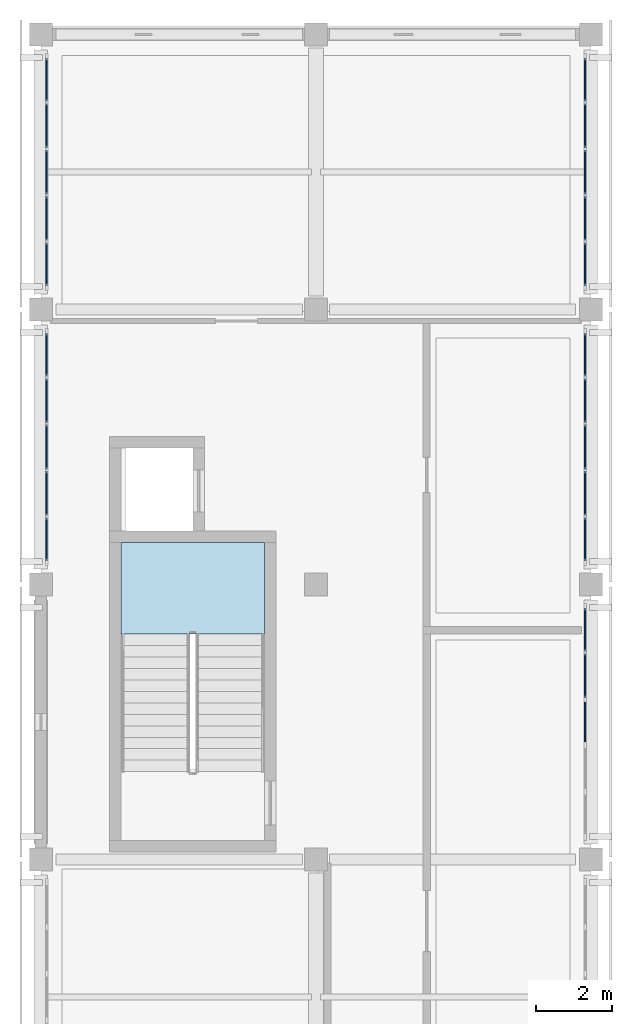
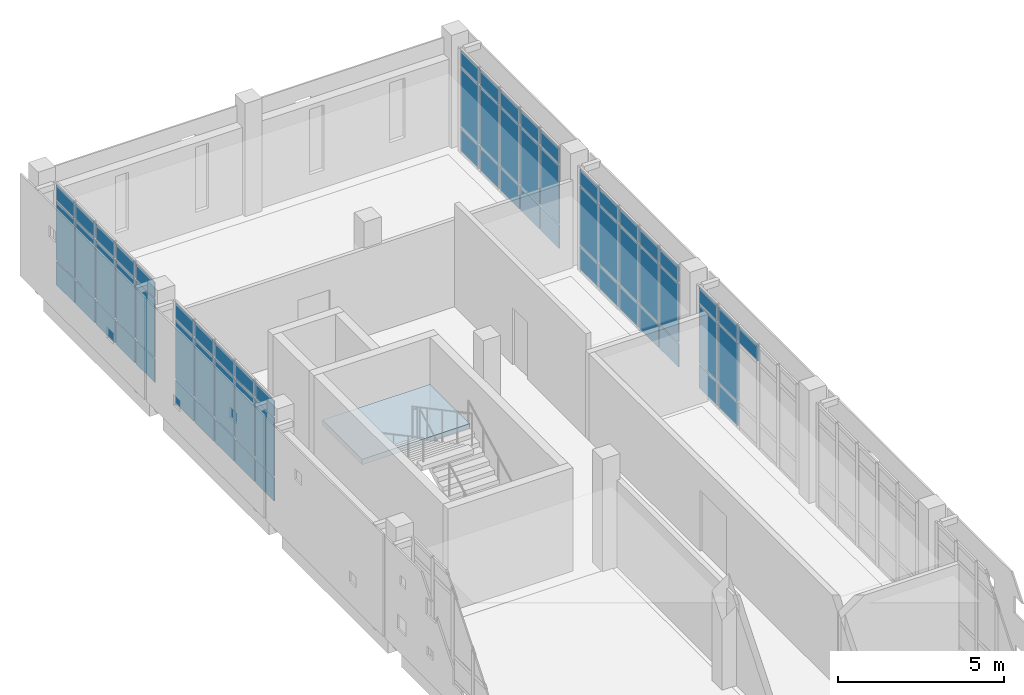
# One storey, part 14 of 21: 67 plates, 1 slab, 6 elements without a shape of their own.
"""IFC4 building model written with IfcOpenShell, lengths in metres."""

from ifc_helpers import new_model, si_unit, direction, frame, origin, origin_2d, place, context, subcontext, project, spatial, polyline, rectangle, outline, extrude, material, layer, layer_set, type_object, element, aggregate, save


model = new_model("IFC4")

# Units and contexts
model_context = context("Model", 3, precision=1e-05, world=origin(), true_north=direction((0.0, 1.0)))
body_context = subcontext(model_context, "Body", "Model", "MODEL_VIEW")
ifc_project = project(units=[si_unit("LENGTHUNIT", "METRE"), si_unit("AREAUNIT", "SQUARE_METRE"), si_unit("VOLUMEUNIT", "CUBIC_METRE"), si_unit("PLANEANGLEUNIT", "RADIAN"), si_unit("MASSUNIT", "GRAM", prefix="KILO")], contexts=[model_context])

# Site, building, storey
site_placement = place(None, origin())
site = spatial("IfcSite", under=ifc_project, at=site_placement, CompositionType="ELEMENT")
building_placement = place(site_placement, origin())
building = spatial("IfcBuilding", under=site, at=building_placement, Name="Valkovuoma Quantum and Materials Research Institute", CompositionType="ELEMENT")
storey_placement = place(building_placement, frame((0.0, 0.0, 29.760009765625)))
storey = spatial("IfcBuildingStorey", under=building, at=storey_placement, Name="L07", CompositionType="ELEMENT", Elevation=29.760009765625)

# Curtain wall, plates
ifc_material_1 = material(Name="Thermally broken aluminium and triple low-E glazing", Category="aluminium")
ifc_layer_1 = layer(ifc_material_1, 0.219970703125)
ifc_layer_set_1 = layer_set([ifc_layer_1], Name="Thermally broken aluminium and triple low-E glazing")
curtain_wall_type = type_object("IfcCurtainWallType", Name="CW-CW-01", PredefinedType="NOTDEFINED", material=ifc_layer_set_1)
curtain_wall_1_placement = place(storey_placement, origin())
curtain_wall_1 = element("IfcCurtainWall", 1, at=curtain_wall_1_placement, inside=storey, type_object=curtain_wall_type, Name="L07 curtain wall 105", PredefinedType="NOTDEFINED")
ifc_material_2 = material(Name="Triple low-E argon insulating glass", Category="glass")
ifc_layer_2 = layer(ifc_material_2, 0.035888671875)
ifc_layer_set_2 = layer_set([ifc_layer_2], Name="Triple low-E argon insulating glass")
plate_type_1 = type_object("IfcPlateType", Name="CWPanel-CWP-01", PredefinedType="CURTAIN_PANEL", material=ifc_layer_set_2)
plate_1_placement = place(storey_placement, frame((0.14990234375, 80.3818359375, 0.06494140625), z_axis=(0.0, 0.0, 1.0), x_axis=(0.0, 1.0, 0.0)))
plate_1 = element("IfcPlate", 2, at=plate_1_placement, type_object=plate_type_1, Name="CW-01 panel 1.1", PredefinedType="CURTAIN_PANEL", context=body_context, shape_type="SweptSolid", body=[
    extrude(rectangle(XDim=1.11962890625, YDim=0.035888671875, at=origin_2d()), origin(), (0.0, 0.0, 1.0), 0.8525390625),
])
plate_2_placement = place(storey_placement, frame((0.14990234375, 80.3818359375, 0.982421875), z_axis=(0.0, 0.0, 1.0), x_axis=(0.0, 1.0, 0.0)))
plate_2 = element("IfcPlate", 3, at=plate_2_placement, type_object=plate_type_1, Name="CW-01 panel 1.2", PredefinedType="CURTAIN_PANEL", context=body_context, shape_type="SweptSolid", body=[
    extrude(rectangle(XDim=1.11962890625, YDim=0.035888671875, at=origin_2d()), origin(), (0.0, 0.0, 1.0), 2.14501953125),
])
plate_3_placement = place(storey_placement, frame((0.14990234375, 80.3818359375, 3.1923828125), z_axis=(0.0, 0.0, 1.0), x_axis=(0.0, 1.0, 0.0)))
plate_3 = element("IfcPlate", 4, at=plate_3_placement, type_object=plate_type_1, Name="CW-01 panel 1.3", PredefinedType="CURTAIN_PANEL", context=body_context, shape_type="SweptSolid", body=[
    extrude(rectangle(XDim=1.11962890625, YDim=0.035888671875, at=origin_2d()), origin(), (0.0, 0.0, 1.0), 0.552490234375),
])
plate_4_placement = place(storey_placement, frame((0.14990234375, 81.582763671875, 0.06494140625), z_axis=(0.0, 0.0, 1.0), x_axis=(0.0, 1.0, 0.0)))
plate_4 = element("IfcPlate", 5, at=plate_4_placement, type_object=plate_type_1, Name="CW-01 panel 2.1", PredefinedType="CURTAIN_PANEL", context=body_context, shape_type="SweptSolid", body=[
    extrude(rectangle(XDim=1.152099609375, YDim=0.035888671875, at=origin_2d()), origin(), (0.0, 0.0, 1.0), 0.8525390625),
])
plate_5_placement = place(storey_placement, frame((0.14990234375, 81.582763671875, 0.982421875), z_axis=(0.0, 0.0, 1.0), x_axis=(0.0, 1.0, 0.0)))
plate_5 = element("IfcPlate", 6, at=plate_5_placement, type_object=plate_type_1, Name="CW-01 panel 2.2", PredefinedType="CURTAIN_PANEL", context=body_context, shape_type="SweptSolid", body=[
    extrude(rectangle(XDim=1.152099609375, YDim=0.035888671875, at=origin_2d()), origin(), (0.0, 0.0, 1.0), 2.14501953125),
])
plate_6_placement = place(storey_placement, frame((0.14990234375, 81.582763671875, 3.1923828125), z_axis=(0.0, 0.0, 1.0), x_axis=(0.0, 1.0, 0.0)))
plate_6 = element("IfcPlate", 7, at=plate_6_placement, type_object=plate_type_1, Name="CW-01 panel 2.3", PredefinedType="CURTAIN_PANEL", context=body_context, shape_type="SweptSolid", body=[
    extrude(rectangle(XDim=1.152099609375, YDim=0.035888671875, at=origin_2d()), origin(), (0.0, 0.0, 1.0), 0.552490234375),
])
plate_7_placement = place(storey_placement, frame((0.14990234375, 82.800048828125, 0.06494140625), z_axis=(0.0, 0.0, 1.0), x_axis=(0.0, 1.0, 0.0)))
plate_7 = element("IfcPlate", 8, at=plate_7_placement, type_object=plate_type_1, Name="CW-01 panel 3.1", PredefinedType="CURTAIN_PANEL", context=body_context, shape_type="SweptSolid", body=[
    extrude(rectangle(XDim=1.152099609375, YDim=0.035888671875, at=origin_2d()), origin(), (0.0, 0.0, 1.0), 0.8525390625),
])
plate_8_placement = place(storey_placement, frame((0.14990234375, 82.800048828125, 0.982421875), z_axis=(0.0, 0.0, 1.0), x_axis=(0.0, 1.0, 0.0)))
plate_8 = element("IfcPlate", 9, at=plate_8_placement, type_object=plate_type_1, Name="CW-01 panel 3.2", PredefinedType="CURTAIN_PANEL", context=body_context, shape_type="SweptSolid", body=[
    extrude(rectangle(XDim=1.152099609375, YDim=0.035888671875, at=origin_2d()), origin(), (0.0, 0.0, 1.0), 2.14501953125),
])
plate_9_placement = place(storey_placement, frame((0.14990234375, 82.800048828125, 3.1923828125), z_axis=(0.0, 0.0, 1.0), x_axis=(0.0, 1.0, 0.0)))
plate_9 = element("IfcPlate", 10, at=plate_9_placement, type_object=plate_type_1, Name="CW-01 panel 3.3", PredefinedType="CURTAIN_PANEL", context=body_context, shape_type="SweptSolid", body=[
    extrude(rectangle(XDim=1.152099609375, YDim=0.035888671875, at=origin_2d()), origin(), (0.0, 0.0, 1.0), 0.552490234375),
])
plate_10_placement = place(storey_placement, frame((0.14990234375, 84.01708984375, 0.06494140625), z_axis=(0.0, 0.0, 1.0), x_axis=(0.0, 1.0, 0.0)))
plate_10 = element("IfcPlate", 11, at=plate_10_placement, type_object=plate_type_1, Name="CW-01 panel 4.1", PredefinedType="CURTAIN_PANEL", context=body_context, shape_type="SweptSolid", body=[
    extrude(rectangle(XDim=1.152099609375, YDim=0.035888671875, at=origin_2d()), origin(), (0.0, 0.0, 1.0), 0.8525390625),
])
plate_11_placement = place(storey_placement, frame((0.14990234375, 84.01708984375, 0.982421875), z_axis=(0.0, 0.0, 1.0), x_axis=(0.0, 1.0, 0.0)))
plate_11 = element("IfcPlate", 12, at=plate_11_placement, type_object=plate_type_1, Name="CW-01 panel 4.2", PredefinedType="CURTAIN_PANEL", context=body_context, shape_type="SweptSolid", body=[
    extrude(rectangle(XDim=1.152099609375, YDim=0.035888671875, at=origin_2d()), origin(), (0.0, 0.0, 1.0), 2.14501953125),
])
plate_12_placement = place(storey_placement, frame((0.14990234375, 84.01708984375, 3.1923828125), z_axis=(0.0, 0.0, 1.0), x_axis=(0.0, 1.0, 0.0)))
plate_12 = element("IfcPlate", 13, at=plate_12_placement, type_object=plate_type_1, Name="CW-01 panel 4.3", PredefinedType="CURTAIN_PANEL", context=body_context, shape_type="SweptSolid", body=[
    extrude(rectangle(XDim=1.152099609375, YDim=0.035888671875, at=origin_2d()), origin(), (0.0, 0.0, 1.0), 0.552490234375),
])
plate_13_placement = place(storey_placement, frame((0.14990234375, 85.218017578125, 0.06494140625), z_axis=(0.0, 0.0, 1.0), x_axis=(0.0, 1.0, 0.0)))
plate_13 = element("IfcPlate", 14, at=plate_13_placement, type_object=plate_type_1, Name="CW-01 panel 5.1", PredefinedType="CURTAIN_PANEL", context=body_context, shape_type="SweptSolid", body=[
    extrude(rectangle(XDim=1.11962890625, YDim=0.035888671875, at=origin_2d()), origin(), (0.0, 0.0, 1.0), 0.8525390625),
])
plate_14_placement = place(storey_placement, frame((0.14990234375, 85.218017578125, 0.982421875), z_axis=(0.0, 0.0, 1.0), x_axis=(0.0, 1.0, 0.0)))
plate_14 = element("IfcPlate", 15, at=plate_14_placement, type_object=plate_type_1, Name="CW-01 panel 5.2", PredefinedType="CURTAIN_PANEL", context=body_context, shape_type="SweptSolid", body=[
    extrude(rectangle(XDim=1.11962890625, YDim=0.035888671875, at=origin_2d()), origin(), (0.0, 0.0, 1.0), 2.14501953125),
])
plate_15_placement = place(storey_placement, frame((0.14990234375, 85.218017578125, 3.1923828125), z_axis=(0.0, 0.0, 1.0), x_axis=(0.0, 1.0, 0.0)))
plate_15 = element("IfcPlate", 16, at=plate_15_placement, type_object=plate_type_1, Name="CW-01 panel 5.3", PredefinedType="CURTAIN_PANEL", context=body_context, shape_type="SweptSolid", body=[
    extrude(rectangle(XDim=1.11962890625, YDim=0.035888671875, at=origin_2d()), origin(), (0.0, 0.0, 1.0), 0.552490234375),
])
aggregate(curtain_wall_1, [plate_1, plate_2, plate_3, plate_4, plate_5, plate_6, plate_7, plate_8, plate_9, plate_10, plate_11, plate_12, plate_13, plate_14, plate_15])

curtain_wall_2_placement = place(storey_placement, origin())
curtain_wall_2 = element("IfcCurtainWall", 17, at=curtain_wall_2_placement, inside=storey, type_object=curtain_wall_type, Name="L07 curtain wall 107", PredefinedType="NOTDEFINED")
plate_16_placement = place(storey_placement, frame((0.14990234375, 87.58203125, 0.06494140625), z_axis=(0.0, 0.0, 1.0), x_axis=(0.0, 1.0, 0.0)))
plate_16 = element("IfcPlate", 18, at=plate_16_placement, type_object=plate_type_1, Name="CW-01 panel 1.1", PredefinedType="CURTAIN_PANEL", context=body_context, shape_type="SweptSolid", body=[
    extrude(rectangle(XDim=1.11962890625, YDim=0.035888671875, at=origin_2d()), origin(), (0.0, 0.0, 1.0), 0.8525390625),
])
plate_17_placement = place(storey_placement, frame((0.14990234375, 87.58203125, 0.982421875), z_axis=(0.0, 0.0, 1.0), x_axis=(0.0, 1.0, 0.0)))
plate_17 = element("IfcPlate", 19, at=plate_17_placement, type_object=plate_type_1, Name="CW-01 panel 1.2", PredefinedType="CURTAIN_PANEL", context=body_context, shape_type="SweptSolid", body=[
    extrude(rectangle(XDim=1.11962890625, YDim=0.035888671875, at=origin_2d()), origin(), (0.0, 0.0, 1.0), 2.14501953125),
])
plate_18_placement = place(storey_placement, frame((0.14990234375, 87.58203125, 3.1923828125), z_axis=(0.0, 0.0, 1.0), x_axis=(0.0, 1.0, 0.0)))
plate_18 = element("IfcPlate", 20, at=plate_18_placement, type_object=plate_type_1, Name="CW-01 panel 1.3", PredefinedType="CURTAIN_PANEL", context=body_context, shape_type="SweptSolid", body=[
    extrude(rectangle(XDim=1.11962890625, YDim=0.035888671875, at=origin_2d()), origin(), (0.0, 0.0, 1.0), 0.552490234375),
])
plate_19_placement = place(storey_placement, frame((0.14990234375, 88.782958984375, 0.06494140625), z_axis=(0.0, 0.0, 1.0), x_axis=(0.0, 1.0, 0.0)))
plate_19 = element("IfcPlate", 21, at=plate_19_placement, type_object=plate_type_1, Name="CW-01 panel 2.1", PredefinedType="CURTAIN_PANEL", context=body_context, shape_type="SweptSolid", body=[
    extrude(rectangle(XDim=1.152099609375, YDim=0.035888671875, at=origin_2d()), origin(), (0.0, 0.0, 1.0), 0.8525390625),
])
plate_20_placement = place(storey_placement, frame((0.14990234375, 88.782958984375, 0.982421875), z_axis=(0.0, 0.0, 1.0), x_axis=(0.0, 1.0, 0.0)))
plate_20 = element("IfcPlate", 22, at=plate_20_placement, type_object=plate_type_1, Name="CW-01 panel 2.2", PredefinedType="CURTAIN_PANEL", context=body_context, shape_type="SweptSolid", body=[
    extrude(rectangle(XDim=1.152099609375, YDim=0.035888671875, at=origin_2d()), origin(), (0.0, 0.0, 1.0), 2.14501953125),
])
plate_21_placement = place(storey_placement, frame((0.14990234375, 88.782958984375, 3.1923828125), z_axis=(0.0, 0.0, 1.0), x_axis=(0.0, 1.0, 0.0)))
plate_21 = element("IfcPlate", 23, at=plate_21_placement, type_object=plate_type_1, Name="CW-01 panel 2.3", PredefinedType="CURTAIN_PANEL", context=body_context, shape_type="SweptSolid", body=[
    extrude(rectangle(XDim=1.152099609375, YDim=0.035888671875, at=origin_2d()), origin(), (0.0, 0.0, 1.0), 0.552490234375),
])
plate_22_placement = place(storey_placement, frame((0.14990234375, 90.0, 0.06494140625), z_axis=(0.0, 0.0, 1.0), x_axis=(0.0, 1.0, 0.0)))
plate_22 = element("IfcPlate", 24, at=plate_22_placement, type_object=plate_type_1, Name="CW-01 panel 3.1", PredefinedType="CURTAIN_PANEL", context=body_context, shape_type="SweptSolid", body=[
    extrude(rectangle(XDim=1.152099609375, YDim=0.035888671875, at=origin_2d()), origin(), (0.0, 0.0, 1.0), 0.8525390625),
])
plate_23_placement = place(storey_placement, frame((0.14990234375, 90.0, 0.982421875), z_axis=(0.0, 0.0, 1.0), x_axis=(0.0, 1.0, 0.0)))
plate_23 = element("IfcPlate", 25, at=plate_23_placement, type_object=plate_type_1, Name="CW-01 panel 3.2", PredefinedType="CURTAIN_PANEL", context=body_context, shape_type="SweptSolid", body=[
    extrude(rectangle(XDim=1.152099609375, YDim=0.035888671875, at=origin_2d()), origin(), (0.0, 0.0, 1.0), 2.14501953125),
])
plate_24_placement = place(storey_placement, frame((0.14990234375, 90.0, 3.1923828125), z_axis=(0.0, 0.0, 1.0), x_axis=(0.0, 1.0, 0.0)))
plate_24 = element("IfcPlate", 26, at=plate_24_placement, type_object=plate_type_1, Name="CW-01 panel 3.3", PredefinedType="CURTAIN_PANEL", context=body_context, shape_type="SweptSolid", body=[
    extrude(rectangle(XDim=1.152099609375, YDim=0.035888671875, at=origin_2d()), origin(), (0.0, 0.0, 1.0), 0.552490234375),
])
plate_25_placement = place(storey_placement, frame((0.14990234375, 91.217041015625, 0.06494140625), z_axis=(0.0, 0.0, 1.0), x_axis=(0.0, 1.0, 0.0)))
plate_25 = element("IfcPlate", 27, at=plate_25_placement, type_object=plate_type_1, Name="CW-01 panel 4.1", PredefinedType="CURTAIN_PANEL", context=body_context, shape_type="SweptSolid", body=[
    extrude(rectangle(XDim=1.152099609375, YDim=0.035888671875, at=origin_2d()), origin(), (0.0, 0.0, 1.0), 0.8525390625),
])
plate_26_placement = place(storey_placement, frame((0.14990234375, 91.217041015625, 0.982421875), z_axis=(0.0, 0.0, 1.0), x_axis=(0.0, 1.0, 0.0)))
plate_26 = element("IfcPlate", 28, at=plate_26_placement, type_object=plate_type_1, Name="CW-01 panel 4.2", PredefinedType="CURTAIN_PANEL", context=body_context, shape_type="SweptSolid", body=[
    extrude(rectangle(XDim=1.152099609375, YDim=0.035888671875, at=origin_2d()), origin(), (0.0, 0.0, 1.0), 2.14501953125),
])
plate_27_placement = place(storey_placement, frame((0.14990234375, 91.217041015625, 3.1923828125), z_axis=(0.0, 0.0, 1.0), x_axis=(0.0, 1.0, 0.0)))
plate_27 = element("IfcPlate", 29, at=plate_27_placement, type_object=plate_type_1, Name="CW-01 panel 4.3", PredefinedType="CURTAIN_PANEL", context=body_context, shape_type="SweptSolid", body=[
    extrude(rectangle(XDim=1.152099609375, YDim=0.035888671875, at=origin_2d()), origin(), (0.0, 0.0, 1.0), 0.552490234375),
])
plate_28_placement = place(storey_placement, frame((0.14990234375, 92.41796875, 0.06494140625), z_axis=(0.0, 0.0, 1.0), x_axis=(0.0, 1.0, 0.0)))
plate_28 = element("IfcPlate", 30, at=plate_28_placement, type_object=plate_type_1, Name="CW-01 panel 5.1", PredefinedType="CURTAIN_PANEL", context=body_context, shape_type="SweptSolid", body=[
    extrude(rectangle(XDim=1.11962890625, YDim=0.035888671875, at=origin_2d()), origin(), (0.0, 0.0, 1.0), 0.8525390625),
])
plate_29_placement = place(storey_placement, frame((0.14990234375, 92.41796875, 0.982421875), z_axis=(0.0, 0.0, 1.0), x_axis=(0.0, 1.0, 0.0)))
plate_29 = element("IfcPlate", 31, at=plate_29_placement, type_object=plate_type_1, Name="CW-01 panel 5.2", PredefinedType="CURTAIN_PANEL", context=body_context, shape_type="SweptSolid", body=[
    extrude(rectangle(XDim=1.11962890625, YDim=0.035888671875, at=origin_2d()), origin(), (0.0, 0.0, 1.0), 2.14501953125),
])
plate_30_placement = place(storey_placement, frame((0.14990234375, 92.41796875, 3.1923828125), z_axis=(0.0, 0.0, 1.0), x_axis=(0.0, 1.0, 0.0)))
plate_30 = element("IfcPlate", 32, at=plate_30_placement, type_object=plate_type_1, Name="CW-01 panel 5.3", PredefinedType="CURTAIN_PANEL", context=body_context, shape_type="SweptSolid", body=[
    extrude(rectangle(XDim=1.11962890625, YDim=0.035888671875, at=origin_2d()), origin(), (0.0, 0.0, 1.0), 0.552490234375),
])
aggregate(curtain_wall_2, [plate_16, plate_17, plate_18, plate_19, plate_20, plate_21, plate_22, plate_23, plate_24, plate_25, plate_26, plate_27, plate_28, plate_29, plate_30])

curtain_wall_3_placement = place(storey_placement, origin())
curtain_wall_3 = element("IfcCurtainWall", 33, at=curtain_wall_3_placement, inside=storey, type_object=curtain_wall_type, Name="L07 curtain wall 104", PredefinedType="NOTDEFINED")
ifc_material_3 = material(Name="Triple low-E argon insulating glass", Category="glass")
ifc_layer_3 = layer(ifc_material_3, 0.0419921875)
ifc_layer_set_3 = layer_set([ifc_layer_3], Name="Triple low-E argon insulating glass")
plate_type_2 = type_object("IfcPlateType", Name="CWPanel-CWP-02", PredefinedType="CURTAIN_PANEL", material=ifc_layer_set_3)
plate_31_placement = place(storey_placement, frame((14.25, 75.60009765625, 3.1923828125), z_axis=(0.0, 0.0, 1.0), x_axis=(0.0, 1.0, 0.0)))
plate_31 = element("IfcPlate", 34, at=plate_31_placement, type_object=plate_type_2, Name="CW-01 panel 3.3", PredefinedType="CURTAIN_PANEL", context=body_context, shape_type="SweptSolid", body=[
    extrude(rectangle(XDim=1.152099609375, YDim=0.0419921875, at=origin_2d()), origin(), (0.0, 0.0, 1.0), 0.552490234375),
])
plate_32_placement = place(storey_placement, frame((14.25, 76.817138671875, 0.06494140625), z_axis=(0.0, 0.0, 1.0), x_axis=(0.0, 1.0, 0.0)))
plate_32 = element("IfcPlate", 35, at=plate_32_placement, type_object=plate_type_2, Name="CW-01 panel 4.1", PredefinedType="CURTAIN_PANEL", context=body_context, shape_type="SweptSolid", body=[
    extrude(rectangle(XDim=1.152099609375, YDim=0.0419921875, at=origin_2d()), origin(), (0.0, 0.0, 1.0), 0.8525390625),
])
plate_33_placement = place(storey_placement, frame((14.25, 76.817138671875, 0.982421875), z_axis=(0.0, 0.0, 1.0), x_axis=(0.0, 1.0, 0.0)))
plate_33 = element("IfcPlate", 36, at=plate_33_placement, type_object=plate_type_2, Name="CW-01 panel 4.2", PredefinedType="CURTAIN_PANEL", context=body_context, shape_type="SweptSolid", body=[
    extrude(rectangle(XDim=1.152099609375, YDim=0.0419921875, at=origin_2d()), origin(), (0.0, 0.0, 1.0), 2.14501953125),
])
plate_34_placement = place(storey_placement, frame((14.25, 76.817138671875, 3.1923828125), z_axis=(0.0, 0.0, 1.0), x_axis=(0.0, 1.0, 0.0)))
plate_34 = element("IfcPlate", 37, at=plate_34_placement, type_object=plate_type_2, Name="CW-01 panel 4.3", PredefinedType="CURTAIN_PANEL", context=body_context, shape_type="SweptSolid", body=[
    extrude(rectangle(XDim=1.152099609375, YDim=0.0419921875, at=origin_2d()), origin(), (0.0, 0.0, 1.0), 0.552490234375),
])
plate_35_placement = place(storey_placement, frame((14.25, 78.01806640625, 0.06494140625), z_axis=(0.0, 0.0, 1.0), x_axis=(0.0, 1.0, 0.0)))
plate_35 = element("IfcPlate", 38, at=plate_35_placement, type_object=plate_type_2, Name="CW-01 panel 5.1", PredefinedType="CURTAIN_PANEL", context=body_context, shape_type="SweptSolid", body=[
    extrude(rectangle(XDim=1.11962890625, YDim=0.0419921875, at=origin_2d()), origin(), (0.0, 0.0, 1.0), 0.8525390625),
])
plate_36_placement = place(storey_placement, frame((14.25, 78.01806640625, 0.982421875), z_axis=(0.0, 0.0, 1.0), x_axis=(0.0, 1.0, 0.0)))
plate_36 = element("IfcPlate", 39, at=plate_36_placement, type_object=plate_type_2, Name="CW-01 panel 5.2", PredefinedType="CURTAIN_PANEL", context=body_context, shape_type="SweptSolid", body=[
    extrude(rectangle(XDim=1.11962890625, YDim=0.0419921875, at=origin_2d()), origin(), (0.0, 0.0, 1.0), 2.14501953125),
])
plate_37_placement = place(storey_placement, frame((14.25, 78.01806640625, 3.1923828125), z_axis=(0.0, 0.0, 1.0), x_axis=(0.0, 1.0, 0.0)))
plate_37 = element("IfcPlate", 40, at=plate_37_placement, type_object=plate_type_2, Name="CW-01 panel 5.3", PredefinedType="CURTAIN_PANEL", context=body_context, shape_type="SweptSolid", body=[
    extrude(rectangle(XDim=1.11962890625, YDim=0.0419921875, at=origin_2d()), origin(), (0.0, 0.0, 1.0), 0.552490234375),
])
aggregate(curtain_wall_3, [plate_31, plate_32, plate_33, plate_34, plate_35, plate_36, plate_37])

curtain_wall_4_placement = place(storey_placement, origin())
curtain_wall_4 = element("IfcCurtainWall", 41, at=curtain_wall_4_placement, inside=storey, type_object=curtain_wall_type, Name="L07 curtain wall 106", PredefinedType="NOTDEFINED")
plate_38_placement = place(storey_placement, frame((14.25, 80.3818359375, 0.06494140625), z_axis=(0.0, 0.0, 1.0), x_axis=(0.0, 1.0, 0.0)))
plate_38 = element("IfcPlate", 42, at=plate_38_placement, type_object=plate_type_2, Name="CW-01 panel 1.1", PredefinedType="CURTAIN_PANEL", context=body_context, shape_type="SweptSolid", body=[
    extrude(rectangle(XDim=1.11962890625, YDim=0.0419921875, at=origin_2d()), origin(), (0.0, 0.0, 1.0), 0.8525390625),
])
plate_39_placement = place(storey_placement, frame((14.25, 80.3818359375, 0.982421875), z_axis=(0.0, 0.0, 1.0), x_axis=(0.0, 1.0, 0.0)))
plate_39 = element("IfcPlate", 43, at=plate_39_placement, type_object=plate_type_2, Name="CW-01 panel 1.2", PredefinedType="CURTAIN_PANEL", context=body_context, shape_type="SweptSolid", body=[
    extrude(rectangle(XDim=1.11962890625, YDim=0.0419921875, at=origin_2d()), origin(), (0.0, 0.0, 1.0), 2.14501953125),
])
plate_40_placement = place(storey_placement, frame((14.25, 80.3818359375, 3.1923828125), z_axis=(0.0, 0.0, 1.0), x_axis=(0.0, 1.0, 0.0)))
plate_40 = element("IfcPlate", 44, at=plate_40_placement, type_object=plate_type_2, Name="CW-01 panel 1.3", PredefinedType="CURTAIN_PANEL", context=body_context, shape_type="SweptSolid", body=[
    extrude(rectangle(XDim=1.11962890625, YDim=0.0419921875, at=origin_2d()), origin(), (0.0, 0.0, 1.0), 0.552490234375),
])
plate_41_placement = place(storey_placement, frame((14.25, 81.582763671875, 0.06494140625), z_axis=(0.0, 0.0, 1.0), x_axis=(0.0, 1.0, 0.0)))
plate_41 = element("IfcPlate", 45, at=plate_41_placement, type_object=plate_type_2, Name="CW-01 panel 2.1", PredefinedType="CURTAIN_PANEL", context=body_context, shape_type="SweptSolid", body=[
    extrude(rectangle(XDim=1.152099609375, YDim=0.0419921875, at=origin_2d()), origin(), (0.0, 0.0, 1.0), 0.8525390625),
])
plate_42_placement = place(storey_placement, frame((14.25, 81.582763671875, 0.982421875), z_axis=(0.0, 0.0, 1.0), x_axis=(0.0, 1.0, 0.0)))
plate_42 = element("IfcPlate", 46, at=plate_42_placement, type_object=plate_type_2, Name="CW-01 panel 2.2", PredefinedType="CURTAIN_PANEL", context=body_context, shape_type="SweptSolid", body=[
    extrude(rectangle(XDim=1.152099609375, YDim=0.0419921875, at=origin_2d()), origin(), (0.0, 0.0, 1.0), 2.14501953125),
])
plate_43_placement = place(storey_placement, frame((14.25, 81.582763671875, 3.1923828125), z_axis=(0.0, 0.0, 1.0), x_axis=(0.0, 1.0, 0.0)))
plate_43 = element("IfcPlate", 47, at=plate_43_placement, type_object=plate_type_2, Name="CW-01 panel 2.3", PredefinedType="CURTAIN_PANEL", context=body_context, shape_type="SweptSolid", body=[
    extrude(rectangle(XDim=1.152099609375, YDim=0.0419921875, at=origin_2d()), origin(), (0.0, 0.0, 1.0), 0.552490234375),
])
plate_44_placement = place(storey_placement, frame((14.25, 82.800048828125, 0.06494140625), z_axis=(0.0, 0.0, 1.0), x_axis=(0.0, 1.0, 0.0)))
plate_44 = element("IfcPlate", 48, at=plate_44_placement, type_object=plate_type_2, Name="CW-01 panel 3.1", PredefinedType="CURTAIN_PANEL", context=body_context, shape_type="SweptSolid", body=[
    extrude(rectangle(XDim=1.152099609375, YDim=0.0419921875, at=origin_2d()), origin(), (0.0, 0.0, 1.0), 0.8525390625),
])
plate_45_placement = place(storey_placement, frame((14.25, 82.800048828125, 0.982421875), z_axis=(0.0, 0.0, 1.0), x_axis=(0.0, 1.0, 0.0)))
plate_45 = element("IfcPlate", 49, at=plate_45_placement, type_object=plate_type_2, Name="CW-01 panel 3.2", PredefinedType="CURTAIN_PANEL", context=body_context, shape_type="SweptSolid", body=[
    extrude(rectangle(XDim=1.152099609375, YDim=0.0419921875, at=origin_2d()), origin(), (0.0, 0.0, 1.0), 2.14501953125),
])
plate_46_placement = place(storey_placement, frame((14.25, 82.800048828125, 3.1923828125), z_axis=(0.0, 0.0, 1.0), x_axis=(0.0, 1.0, 0.0)))
plate_46 = element("IfcPlate", 50, at=plate_46_placement, type_object=plate_type_2, Name="CW-01 panel 3.3", PredefinedType="CURTAIN_PANEL", context=body_context, shape_type="SweptSolid", body=[
    extrude(rectangle(XDim=1.152099609375, YDim=0.0419921875, at=origin_2d()), origin(), (0.0, 0.0, 1.0), 0.552490234375),
])
plate_47_placement = place(storey_placement, frame((14.25, 84.01708984375, 0.06494140625), z_axis=(0.0, 0.0, 1.0), x_axis=(0.0, 1.0, 0.0)))
plate_47 = element("IfcPlate", 51, at=plate_47_placement, type_object=plate_type_2, Name="CW-01 panel 4.1", PredefinedType="CURTAIN_PANEL", context=body_context, shape_type="SweptSolid", body=[
    extrude(rectangle(XDim=1.152099609375, YDim=0.0419921875, at=origin_2d()), origin(), (0.0, 0.0, 1.0), 0.8525390625),
])
plate_48_placement = place(storey_placement, frame((14.25, 84.01708984375, 0.982421875), z_axis=(0.0, 0.0, 1.0), x_axis=(0.0, 1.0, 0.0)))
plate_48 = element("IfcPlate", 52, at=plate_48_placement, type_object=plate_type_2, Name="CW-01 panel 4.2", PredefinedType="CURTAIN_PANEL", context=body_context, shape_type="SweptSolid", body=[
    extrude(rectangle(XDim=1.152099609375, YDim=0.0419921875, at=origin_2d()), origin(), (0.0, 0.0, 1.0), 2.14501953125),
])
plate_49_placement = place(storey_placement, frame((14.25, 84.01708984375, 3.1923828125), z_axis=(0.0, 0.0, 1.0), x_axis=(0.0, 1.0, 0.0)))
plate_49 = element("IfcPlate", 53, at=plate_49_placement, type_object=plate_type_2, Name="CW-01 panel 4.3", PredefinedType="CURTAIN_PANEL", context=body_context, shape_type="SweptSolid", body=[
    extrude(rectangle(XDim=1.152099609375, YDim=0.0419921875, at=origin_2d()), origin(), (0.0, 0.0, 1.0), 0.552490234375),
])
plate_50_placement = place(storey_placement, frame((14.25, 85.218017578125, 0.06494140625), z_axis=(0.0, 0.0, 1.0), x_axis=(0.0, 1.0, 0.0)))
plate_50 = element("IfcPlate", 54, at=plate_50_placement, type_object=plate_type_2, Name="CW-01 panel 5.1", PredefinedType="CURTAIN_PANEL", context=body_context, shape_type="SweptSolid", body=[
    extrude(rectangle(XDim=1.11962890625, YDim=0.0419921875, at=origin_2d()), origin(), (0.0, 0.0, 1.0), 0.8525390625),
])
plate_51_placement = place(storey_placement, frame((14.25, 85.218017578125, 0.982421875), z_axis=(0.0, 0.0, 1.0), x_axis=(0.0, 1.0, 0.0)))
plate_51 = element("IfcPlate", 55, at=plate_51_placement, type_object=plate_type_2, Name="CW-01 panel 5.2", PredefinedType="CURTAIN_PANEL", context=body_context, shape_type="SweptSolid", body=[
    extrude(rectangle(XDim=1.11962890625, YDim=0.0419921875, at=origin_2d()), origin(), (0.0, 0.0, 1.0), 2.14501953125),
])
plate_52_placement = place(storey_placement, frame((14.25, 85.218017578125, 3.1923828125), z_axis=(0.0, 0.0, 1.0), x_axis=(0.0, 1.0, 0.0)))
plate_52 = element("IfcPlate", 56, at=plate_52_placement, type_object=plate_type_2, Name="CW-01 panel 5.3", PredefinedType="CURTAIN_PANEL", context=body_context, shape_type="SweptSolid", body=[
    extrude(rectangle(XDim=1.11962890625, YDim=0.0419921875, at=origin_2d()), origin(), (0.0, 0.0, 1.0), 0.552490234375),
])
aggregate(curtain_wall_4, [plate_38, plate_39, plate_40, plate_41, plate_42, plate_43, plate_44, plate_45, plate_46, plate_47, plate_48, plate_49, plate_50, plate_51, plate_52])

curtain_wall_5_placement = place(storey_placement, origin())
curtain_wall_5 = element("IfcCurtainWall", 57, at=curtain_wall_5_placement, inside=storey, type_object=curtain_wall_type, Name="L07 curtain wall 108", PredefinedType="NOTDEFINED")
plate_53_placement = place(storey_placement, frame((14.25, 87.58203125, 0.06494140625), z_axis=(0.0, 0.0, 1.0), x_axis=(0.0, 1.0, 0.0)))
plate_53 = element("IfcPlate", 58, at=plate_53_placement, type_object=plate_type_2, Name="CW-01 panel 1.1", PredefinedType="CURTAIN_PANEL", context=body_context, shape_type="SweptSolid", body=[
    extrude(rectangle(XDim=1.11962890625, YDim=0.0419921875, at=origin_2d()), origin(), (0.0, 0.0, 1.0), 0.8525390625),
])
plate_54_placement = place(storey_placement, frame((14.25, 87.58203125, 0.982421875), z_axis=(0.0, 0.0, 1.0), x_axis=(0.0, 1.0, 0.0)))
plate_54 = element("IfcPlate", 59, at=plate_54_placement, type_object=plate_type_2, Name="CW-01 panel 1.2", PredefinedType="CURTAIN_PANEL", context=body_context, shape_type="SweptSolid", body=[
    extrude(rectangle(XDim=1.11962890625, YDim=0.0419921875, at=origin_2d()), origin(), (0.0, 0.0, 1.0), 2.14501953125),
])
plate_55_placement = place(storey_placement, frame((14.25, 87.58203125, 3.1923828125), z_axis=(0.0, 0.0, 1.0), x_axis=(0.0, 1.0, 0.0)))
plate_55 = element("IfcPlate", 60, at=plate_55_placement, type_object=plate_type_2, Name="CW-01 panel 1.3", PredefinedType="CURTAIN_PANEL", context=body_context, shape_type="SweptSolid", body=[
    extrude(rectangle(XDim=1.11962890625, YDim=0.0419921875, at=origin_2d()), origin(), (0.0, 0.0, 1.0), 0.552490234375),
])
plate_56_placement = place(storey_placement, frame((14.25, 88.782958984375, 0.06494140625), z_axis=(0.0, 0.0, 1.0), x_axis=(0.0, 1.0, 0.0)))
plate_56 = element("IfcPlate", 61, at=plate_56_placement, type_object=plate_type_2, Name="CW-01 panel 2.1", PredefinedType="CURTAIN_PANEL", context=body_context, shape_type="SweptSolid", body=[
    extrude(rectangle(XDim=1.152099609375, YDim=0.0419921875, at=origin_2d()), origin(), (0.0, 0.0, 1.0), 0.8525390625),
])
plate_57_placement = place(storey_placement, frame((14.25, 88.782958984375, 0.982421875), z_axis=(0.0, 0.0, 1.0), x_axis=(0.0, 1.0, 0.0)))
plate_57 = element("IfcPlate", 62, at=plate_57_placement, type_object=plate_type_2, Name="CW-01 panel 2.2", PredefinedType="CURTAIN_PANEL", context=body_context, shape_type="SweptSolid", body=[
    extrude(rectangle(XDim=1.152099609375, YDim=0.0419921875, at=origin_2d()), origin(), (0.0, 0.0, 1.0), 2.14501953125),
])
plate_58_placement = place(storey_placement, frame((14.25, 88.782958984375, 3.1923828125), z_axis=(0.0, 0.0, 1.0), x_axis=(0.0, 1.0, 0.0)))
plate_58 = element("IfcPlate", 63, at=plate_58_placement, type_object=plate_type_2, Name="CW-01 panel 2.3", PredefinedType="CURTAIN_PANEL", context=body_context, shape_type="SweptSolid", body=[
    extrude(rectangle(XDim=1.152099609375, YDim=0.0419921875, at=origin_2d()), origin(), (0.0, 0.0, 1.0), 0.552490234375),
])
plate_59_placement = place(storey_placement, frame((14.25, 90.0, 0.06494140625), z_axis=(0.0, 0.0, 1.0), x_axis=(0.0, 1.0, 0.0)))
plate_59 = element("IfcPlate", 64, at=plate_59_placement, type_object=plate_type_2, Name="CW-01 panel 3.1", PredefinedType="CURTAIN_PANEL", context=body_context, shape_type="SweptSolid", body=[
    extrude(rectangle(XDim=1.152099609375, YDim=0.0419921875, at=origin_2d()), origin(), (0.0, 0.0, 1.0), 0.8525390625),
])
plate_60_placement = place(storey_placement, frame((14.25, 90.0, 0.982421875), z_axis=(0.0, 0.0, 1.0), x_axis=(0.0, 1.0, 0.0)))
plate_60 = element("IfcPlate", 65, at=plate_60_placement, type_object=plate_type_2, Name="CW-01 panel 3.2", PredefinedType="CURTAIN_PANEL", context=body_context, shape_type="SweptSolid", body=[
    extrude(rectangle(XDim=1.152099609375, YDim=0.0419921875, at=origin_2d()), origin(), (0.0, 0.0, 1.0), 2.14501953125),
])
plate_61_placement = place(storey_placement, frame((14.25, 90.0, 3.1923828125), z_axis=(0.0, 0.0, 1.0), x_axis=(0.0, 1.0, 0.0)))
plate_61 = element("IfcPlate", 66, at=plate_61_placement, type_object=plate_type_2, Name="CW-01 panel 3.3", PredefinedType="CURTAIN_PANEL", context=body_context, shape_type="SweptSolid", body=[
    extrude(rectangle(XDim=1.152099609375, YDim=0.0419921875, at=origin_2d()), origin(), (0.0, 0.0, 1.0), 0.552490234375),
])
plate_62_placement = place(storey_placement, frame((14.25, 91.217041015625, 0.06494140625), z_axis=(0.0, 0.0, 1.0), x_axis=(0.0, 1.0, 0.0)))
plate_62 = element("IfcPlate", 67, at=plate_62_placement, type_object=plate_type_2, Name="CW-01 panel 4.1", PredefinedType="CURTAIN_PANEL", context=body_context, shape_type="SweptSolid", body=[
    extrude(rectangle(XDim=1.152099609375, YDim=0.0419921875, at=origin_2d()), origin(), (0.0, 0.0, 1.0), 0.8525390625),
])
plate_63_placement = place(storey_placement, frame((14.25, 91.217041015625, 0.982421875), z_axis=(0.0, 0.0, 1.0), x_axis=(0.0, 1.0, 0.0)))
plate_63 = element("IfcPlate", 68, at=plate_63_placement, type_object=plate_type_2, Name="CW-01 panel 4.2", PredefinedType="CURTAIN_PANEL", context=body_context, shape_type="SweptSolid", body=[
    extrude(rectangle(XDim=1.152099609375, YDim=0.0419921875, at=origin_2d()), origin(), (0.0, 0.0, 1.0), 2.14501953125),
])
plate_64_placement = place(storey_placement, frame((14.25, 91.217041015625, 3.1923828125), z_axis=(0.0, 0.0, 1.0), x_axis=(0.0, 1.0, 0.0)))
plate_64 = element("IfcPlate", 69, at=plate_64_placement, type_object=plate_type_2, Name="CW-01 panel 4.3", PredefinedType="CURTAIN_PANEL", context=body_context, shape_type="SweptSolid", body=[
    extrude(rectangle(XDim=1.152099609375, YDim=0.0419921875, at=origin_2d()), origin(), (0.0, 0.0, 1.0), 0.552490234375),
])
plate_65_placement = place(storey_placement, frame((14.25, 92.41796875, 0.06494140625), z_axis=(0.0, 0.0, 1.0), x_axis=(0.0, 1.0, 0.0)))
plate_65 = element("IfcPlate", 70, at=plate_65_placement, type_object=plate_type_2, Name="CW-01 panel 5.1", PredefinedType="CURTAIN_PANEL", context=body_context, shape_type="SweptSolid", body=[
    extrude(rectangle(XDim=1.11962890625, YDim=0.0419921875, at=origin_2d()), origin(), (0.0, 0.0, 1.0), 0.8525390625),
])
plate_66_placement = place(storey_placement, frame((14.25, 92.41796875, 0.982421875), z_axis=(0.0, 0.0, 1.0), x_axis=(0.0, 1.0, 0.0)))
plate_66 = element("IfcPlate", 71, at=plate_66_placement, type_object=plate_type_2, Name="CW-01 panel 5.2", PredefinedType="CURTAIN_PANEL", context=body_context, shape_type="SweptSolid", body=[
    extrude(rectangle(XDim=1.11962890625, YDim=0.0419921875, at=origin_2d()), origin(), (0.0, 0.0, 1.0), 2.14501953125),
])
plate_67_placement = place(storey_placement, frame((14.25, 92.41796875, 3.1923828125), z_axis=(0.0, 0.0, 1.0), x_axis=(0.0, 1.0, 0.0)))
plate_67 = element("IfcPlate", 72, at=plate_67_placement, type_object=plate_type_2, Name="CW-01 panel 5.3", PredefinedType="CURTAIN_PANEL", context=body_context, shape_type="SweptSolid", body=[
    extrude(rectangle(XDim=1.11962890625, YDim=0.0419921875, at=origin_2d()), origin(), (0.0, 0.0, 1.0), 0.552490234375),
])
aggregate(curtain_wall_5, [plate_53, plate_54, plate_55, plate_56, plate_57, plate_58, plate_59, plate_60, plate_61, plate_62, plate_63, plate_64, plate_65, plate_66, plate_67])

# Stair, slab
ifc_material_4 = material(Name="Concrete C40/50", Category="concrete")
stair_type = type_object("IfcStairType", Name="Stair-ST-COR", PredefinedType="HALF_TURN_STAIR", material=ifc_material_4)
stair_placement = place(storey_placement, origin())
stair = element("IfcStair", 73, at=stair_placement, inside=storey, type_object=stair_type, Name="L07 Exit Stair ST-2", PredefinedType="HALF_TURN_STAIR")
ifc_material_5 = material(Name="Concrete C40/50", Category="concrete")
ifc_layer_4 = layer(ifc_material_5, 0.199951171875)
ifc_layer_set_4 = layer_set([ifc_layer_4], Name="Concrete C40/50")
slab_type = type_object("IfcSlabType", Name="Slab-SL-LND200", PredefinedType="LANDING", material=ifc_layer_set_4)
slab_placement = place(storey_placement, frame((0.0, 0.0, 1.8798828125)))
slab = element("IfcSlab", 74, at=slab_placement, type_object=slab_type, Name="ST-2 landing 1", PredefinedType="LANDING", context=body_context, shape_type="SweptSolid", body=[
    extrude(outline(polyline([(5.85009765625, 77.89990234375), (5.85009765625, 80.300048828125), (2.10009765625, 80.300048828125), (2.10009765625, 77.89990234375), (5.85009765625, 77.89990234375)])), origin(), (0.0, 0.0, 1.0), 0.2001953125),
])
aggregate(stair, [slab])

save(model, "model.ifc")
